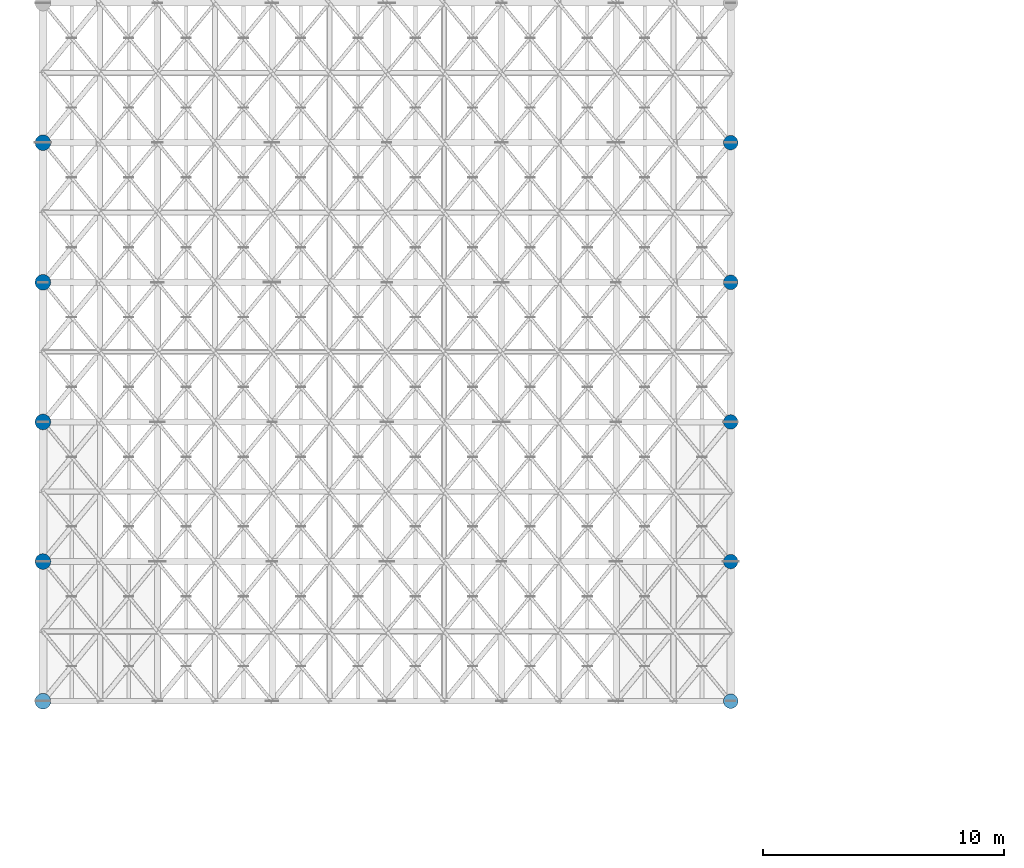
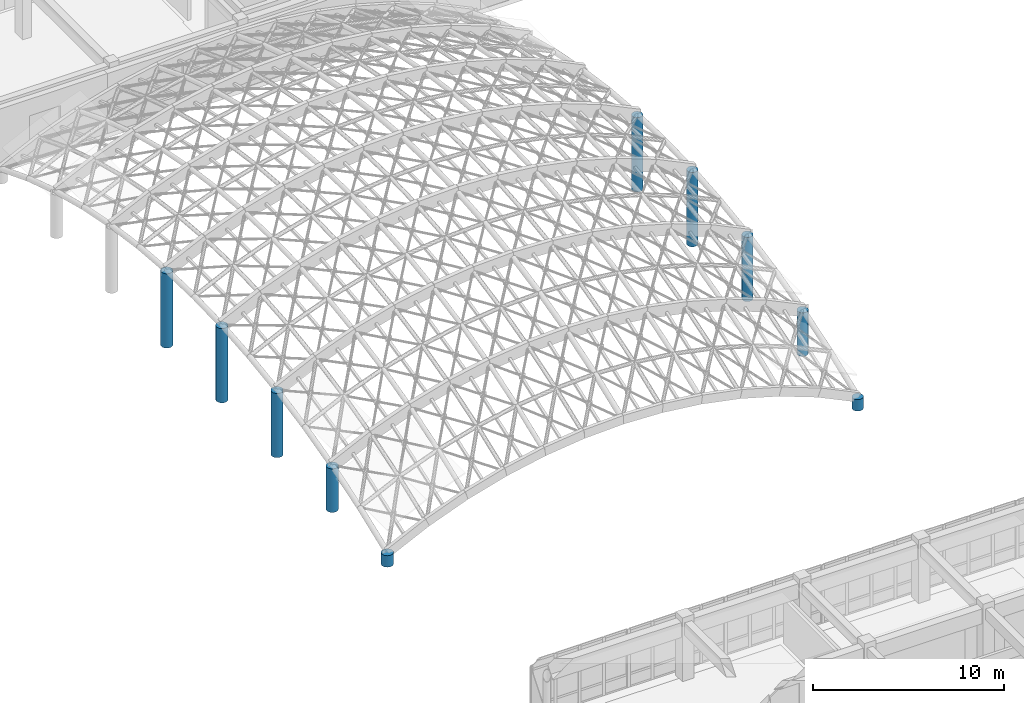
# One storey, part 3 of 146: 10 columns.
"""IFC4 building model written with IfcOpenShell, lengths in metres."""

from ifc_helpers import new_model, si_unit, direction, frame, origin, origin_2d, place, context, subcontext, project, spatial, circle, extrude, material, material_profile, profile_set, type_object, element, save


model = new_model("IFC4")

# Units and contexts
model_context = context("Model", 3, precision=1e-05, world=origin(), true_north=direction((0.0, 1.0)))
body_context = subcontext(model_context, "Body", "Model", "MODEL_VIEW")
ifc_project = project(units=[si_unit("LENGTHUNIT", "METRE"), si_unit("AREAUNIT", "SQUARE_METRE"), si_unit("VOLUMEUNIT", "CUBIC_METRE"), si_unit("PLANEANGLEUNIT", "RADIAN"), si_unit("MASSUNIT", "GRAM", prefix="KILO")], contexts=[model_context])

# Site, building, storey
site_placement = place(None, origin())
site = spatial("IfcSite", under=ifc_project, at=site_placement, CompositionType="ELEMENT")
building_placement = place(site_placement, origin())
building = spatial("IfcBuilding", under=site, at=building_placement, Name="Valcora Specialist Clinic", CompositionType="ELEMENT")
storey_placement = place(building_placement, frame((0.0, 0.0, 9.52001953125)))
storey = spatial("IfcBuildingStorey", under=building, at=storey_placement, Name="L02", CompositionType="ELEMENT", Elevation=9.52001953125)

# Columns
ifc_material = material(Name="Concrete C40/50", Category="concrete")
ifc_material_profile_1 = material_profile(ifc_material, circle(Radius=0.300048828125, at=origin_2d()), Name="RC-COL-D600")
ifc_profile_set_1 = profile_set([ifc_material_profile_1], Name="Concrete C40/50")
column_type_1 = type_object("IfcColumnType", Name="TY-COL-RCD600", PredefinedType="COLUMN", material=ifc_profile_set_1)
column_1_placement = place(storey_placement, frame((29.25, 38.75, 0.0), z_axis=(0.0, 0.0, 1.0), x_axis=(1.0, 0.0, 0.0)))
element("IfcColumn", 1, at=column_1_placement, inside=storey, type_object=column_type_1, Name="Column COL-L02-0104", PredefinedType="COLUMN", context=body_context, shape_type="SweptSolid", body=[
    extrude(circle(Radius=0.300048828125, at=origin_2d()), origin(), (0.0, 0.0, 1.0), 0.737060546875),
])
column_2_placement = place(storey_placement, frame((29.25, 44.535888671875, 0.0), z_axis=(0.0, 0.0, 1.0), x_axis=(1.0, 0.0, 0.0)))
element("IfcColumn", 2, at=column_2_placement, inside=storey, type_object=column_type_1, Name="Column COL-L02-0108", PredefinedType="COLUMN", context=body_context, shape_type="SweptSolid", body=[
    extrude(circle(Radius=0.300048828125, at=origin_2d()), origin(), (0.0, 0.0, 1.0), 2.7900390625),
])
column_3_placement = place(storey_placement, frame((29.25, 50.321044921875, 0.0), z_axis=(0.0, 0.0, 1.0), x_axis=(1.0, 0.0, 0.0)))
element("IfcColumn", 3, at=column_3_placement, inside=storey, type_object=column_type_1, Name="Column COL-L02-0112", PredefinedType="COLUMN", context=body_context, shape_type="SweptSolid", body=[
    extrude(circle(Radius=0.300048828125, at=origin_2d()), origin(), (0.0, 0.0, 1.0), 4.11279296875),
])
for number, where, z_axis, x_axis, name in (
    (4, (29.25, 56.10693359375, 0.0), (0.0, 0.0, 1.0), (1.0, 0.0, 0.0), "Column COL-L02-0116"),
    (5, (29.25, 61.89306640625, 0.0), (0.0, 0.0, 1.0), (1.0, 0.0, 0.0), "Column COL-L02-0120"),
):
    element("IfcColumn", number, at=place(storey_placement, frame(where, z_axis=z_axis, x_axis=x_axis)), inside=storey, type_object=column_type_1, Name=name, PredefinedType="COLUMN", context=body_context, shape_type="SweptSolid", body=[
        extrude(circle(Radius=0.300048828125, at=origin_2d()), origin(), (0.0, 0.0, 1.0), 4.761474609375),
    ])
ifc_material_profile_2 = material_profile(ifc_material, circle(Radius=0.324951171875, at=origin_2d()), Name="RC-COL-D650")
ifc_profile_set_2 = profile_set([ifc_material_profile_2], Name="Concrete C40/50")
column_type_2 = type_object("IfcColumnType", Name="TY-COL-RCD650", PredefinedType="COLUMN", material=ifc_profile_set_2)
column_4_placement = place(storey_placement, frame((0.75, 38.75, 0.0), z_axis=(0.0, 0.0, 1.0), x_axis=(1.0, 0.0, 0.0)))
element("IfcColumn", 6, at=column_4_placement, inside=storey, type_object=column_type_2, Name="Column COL-L02-0004", PredefinedType="COLUMN", context=body_context, shape_type="SweptSolid", body=[
    extrude(circle(Radius=0.324951171875, at=origin_2d()), origin(), (0.0, 0.0, 1.0), 0.737060546875),
])
column_5_placement = place(storey_placement, frame((0.75, 44.535888671875, 0.0), z_axis=(0.0, 0.0, 1.0), x_axis=(1.0, 0.0, 0.0)))
element("IfcColumn", 7, at=column_5_placement, inside=storey, type_object=column_type_2, Name="Column COL-L02-0008", PredefinedType="COLUMN", context=body_context, shape_type="SweptSolid", body=[
    extrude(circle(Radius=0.324951171875, at=origin_2d()), origin(), (0.0, 0.0, 1.0), 2.7900390625),
])
column_6_placement = place(storey_placement, frame((0.75, 50.321044921875, 0.0), z_axis=(0.0, 0.0, 1.0), x_axis=(1.0, 0.0, 0.0)))
element("IfcColumn", 8, at=column_6_placement, inside=storey, type_object=column_type_2, Name="Column COL-L02-0012", PredefinedType="COLUMN", context=body_context, shape_type="SweptSolid", body=[
    extrude(circle(Radius=0.324951171875, at=origin_2d()), origin(), (0.0, 0.0, 1.0), 4.11279296875),
])
for number, where, z_axis, x_axis, name in (
    (9, (0.75, 56.10693359375, 0.0), (0.0, 0.0, 1.0), (1.0, 0.0, 0.0), "Column COL-L02-0016"),
    (10, (0.75, 61.89306640625, 0.0), (0.0, 0.0, 1.0), (1.0, 0.0, 0.0), "Column COL-L02-0020"),
):
    element("IfcColumn", number, at=place(storey_placement, frame(where, z_axis=z_axis, x_axis=x_axis)), inside=storey, type_object=column_type_2, Name=name, PredefinedType="COLUMN", context=body_context, shape_type="SweptSolid", body=[
        extrude(circle(Radius=0.324951171875, at=origin_2d()), origin(), (0.0, 0.0, 1.0), 4.761474609375),
    ])

save(model, "model.ifc")
